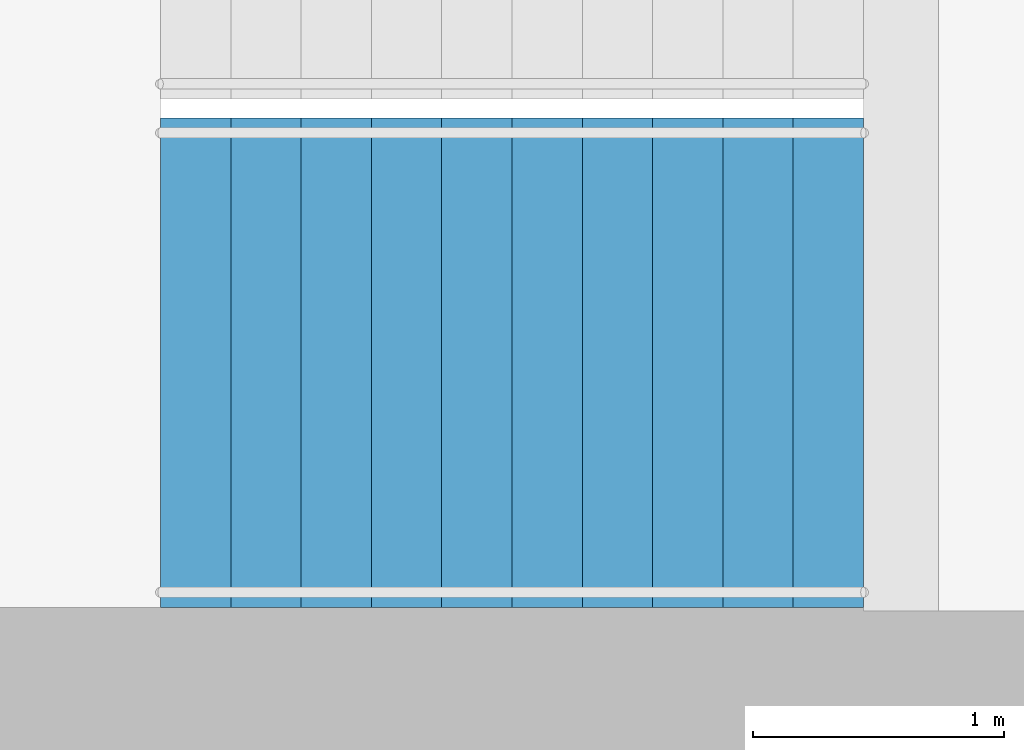
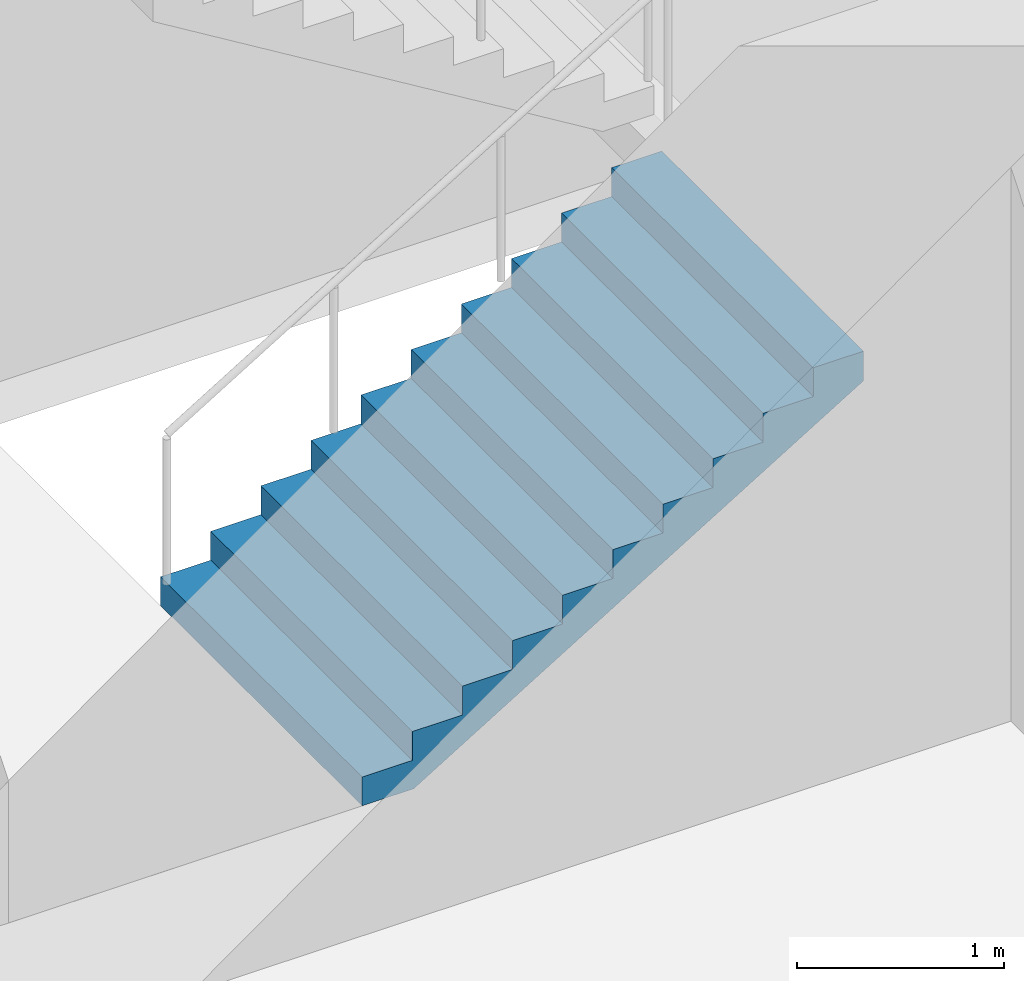
# One storey, part 17 of 21: 1 stair flight, 1 element without a shape of its own.
"""IFC4 building model written with IfcOpenShell, lengths in metres."""

from ifc_helpers import new_model, si_unit, direction, frame, origin, place, context, subcontext, project, spatial, triangles, material, type_object, element, aggregate, save


model = new_model("IFC4")

# Units and contexts
model_context = context("Model", 3, precision=1e-05, world=origin(), true_north=direction((0.0, 1.0)))
body_context = subcontext(model_context, "Body", "Model", "MODEL_VIEW")
ifc_project = project(units=[si_unit("LENGTHUNIT", "METRE"), si_unit("AREAUNIT", "SQUARE_METRE"), si_unit("VOLUMEUNIT", "CUBIC_METRE"), si_unit("PLANEANGLEUNIT", "RADIAN"), si_unit("MASSUNIT", "GRAM", prefix="KILO")], contexts=[model_context])

# Site, building, storey
site_placement = place(None, origin())
site = spatial("IfcSite", under=ifc_project, at=site_placement, CompositionType="ELEMENT")
building_placement = place(site_placement, origin())
building = spatial("IfcBuilding", under=site, at=building_placement, Name="Orbita Commons", CompositionType="ELEMENT")
storey_placement = place(building_placement, frame((0.0, 0.0, 106.89990234375)))
storey = spatial("IfcBuildingStorey", under=building, at=storey_placement, Name="L26", CompositionType="ELEMENT", Elevation=106.89990234375)

# Stair, stair flight
ifc_material_1 = material(Name="Precast concrete C40/50", Category="concrete")
stair_type = type_object("IfcStairType", Name="Exit stair S1 2 flights 11 risers 170", PredefinedType="HALF_TURN_STAIR", material=ifc_material_1)
stair_placement = place(storey_placement, origin())
stair = element("IfcStair", 1, at=stair_placement, inside=storey, type_object=stair_type, Name="Exit stair S1 L26", PredefinedType="HALF_TURN_STAIR")
ifc_material_2 = material(Name="Precast concrete C40/50", Category="concrete")
stair_flight_type = type_object("IfcStairFlightType", Name="Stair flight 11 risers 170 x 280", PredefinedType="STRAIGHT", material=ifc_material_2)
stair_flight_placement = place(storey_placement, frame((20.449951171875, 27.25, 0.0), z_axis=(0.0, 0.0, 1.0), x_axis=(1.0, 0.0, 0.0)))
stair_flight = element("IfcStairFlight", 2, at=stair_flight_placement, type_object=stair_flight_type, Name="S1 flight 1", NumberOfRisers=11, NumberOfTreads=10, PredefinedType="STRAIGHT", RiserHeight=0.170454545, TreadLength=0.28, context=body_context, shape_type="Tessellation", body=[
    triangles([(0.0, 0.974976, 0.0), (0.0, 0.974976, 0.021307), (0.0, 0.81248, 0.021307), (0.0, 0.81248, 0.0), (0.0, 0.649984, 0.021307), (0.0, 0.649984, 0.0), (0.0, 0.487488, 0.021307), (0.0, 0.487488, 0.0), (0.0, 0.324992, 0.021307), (0.0, 0.324992, 0.0), (0.0, 0.162496, 0.021307), (0.0, 0.162496, 0.0), (0.0, 0.0, 0.021307), (0.0, 0.0, 0.0), (0.0, -0.162496, 0.021307), (0.0, -0.162496, 0.0), (0.0, -0.324992, 0.021307), (0.0, -0.324992, 0.0), (0.0, -0.487488, 0.021307), (0.0, -0.487488, 0.0), (0.0, -0.649984, 0.021307), (0.0, -0.649984, 0.0), (0.0, -0.81248, 0.021307), (0.0, -0.81248, 0.0), (0.0, -0.974976, 0.021307), (0.0, -0.974976, 0.0), (0.0, 0.974976, 0.042614), (0.0, 0.81248, 0.042614), (0.0, 0.649984, 0.042614), (0.0, 0.487488, 0.042614), (0.0, 0.324992, 0.042614), (0.0, 0.162496, 0.042614), (0.0, 0.0, 0.042614), (0.0, -0.162496, 0.042614), (0.0, -0.324992, 0.042614), (0.0, -0.487488, 0.042614), (0.0, -0.649984, 0.042614), (0.0, -0.81248, 0.042614), (0.0, -0.974976, 0.042614), (0.0, 0.974976, 0.06392), (0.0, 0.81248, 0.06392), (0.0, 0.649984, 0.06392), (0.0, 0.487488, 0.06392), (0.0, 0.324992, 0.06392), (0.0, 0.162496, 0.06392), (0.0, 0.0, 0.06392), (0.0, -0.162496, 0.06392), (0.0, -0.324992, 0.06392), (0.0, -0.487488, 0.06392), (0.0, -0.649984, 0.06392), (0.0, -0.81248, 0.06392), (0.0, -0.974976, 0.06392), (0.0, 0.974976, 0.085227), (0.0, 0.81248, 0.085227), (0.0, 0.649984, 0.085227), (0.0, 0.487488, 0.085227), (0.0, 0.324992, 0.085227), (0.0, 0.162496, 0.085227), (0.0, 0.0, 0.085227), (0.0, -0.162496, 0.085227), (0.0, -0.324992, 0.085227), (0.0, -0.487488, 0.085227), (0.0, -0.649984, 0.085227), (0.0, -0.81248, 0.085227), (0.0, -0.974976, 0.085227), (0.0, 0.974976, 0.106534), (0.0, 0.81248, 0.106534), (0.0, 0.649984, 0.106534), (0.0, 0.487488, 0.106534), (0.0, 0.324992, 0.106534), (0.0, 0.162496, 0.106534), (0.0, 0.0, 0.106534), (0.0, -0.162496, 0.106534), (0.0, -0.324992, 0.106534), (0.0, -0.487488, 0.106534), (0.0, -0.649984, 0.106534), (0.0, -0.81248, 0.106534), (0.0, -0.974976, 0.106534), (0.0, 0.974976, 0.127841), (0.0, 0.81248, 0.127841), (0.0, 0.649984, 0.127841), (0.0, 0.487488, 0.127841), (0.0, 0.324992, 0.127841), (0.0, 0.162496, 0.127841), (0.0, 0.0, 0.127841), (0.0, -0.162496, 0.127841), (0.0, -0.324992, 0.127841), (0.0, -0.487488, 0.127841), (0.0, -0.649984, 0.127841), (0.0, -0.81248, 0.127841), (0.0, -0.974976, 0.127841), (0.0, 0.974976, 0.149148), (0.0, 0.81248, 0.149148), (0.0, 0.649984, 0.149148), (0.0, 0.487488, 0.149148), (0.0, 0.324992, 0.149148), (0.0, 0.162496, 0.149148), (0.0, 0.0, 0.149148), (0.0, -0.162496, 0.149148), (0.0, -0.324992, 0.149148), (0.0, -0.487488, 0.149148), (0.0, -0.649984, 0.149148), (0.0, -0.81248, 0.149148), (0.0, -0.974976, 0.149148), (0.0, 0.974976, 0.170455), (0.0, 0.81248, 0.170455), (0.0, 0.649984, 0.170455), (0.0, 0.487488, 0.170455), (0.0, 0.324992, 0.170455), (0.0, 0.162496, 0.170455), (0.0, 0.0, 0.170455), (0.0, -0.162496, 0.170455), (0.0, -0.324992, 0.170455), (0.0, -0.487488, 0.170455), (0.0, -0.649984, 0.170455), (0.0, -0.81248, 0.170455), (0.0, -0.974976, 0.170455), (0.28, 0.974976, 0.170455), (0.28, 0.81248, 0.170455), (0.28, 0.649984, 0.170455), (0.28, 0.487488, 0.170455), (0.28, 0.324992, 0.170455), (0.28, 0.162496, 0.170455), (0.28, 0.0, 0.170455), (0.28, -0.162496, 0.170455), (0.28, -0.324992, 0.170455), (0.28, -0.487488, 0.170455), (0.28, -0.649984, 0.170455), (0.28, -0.81248, 0.170455), (0.28, -0.974976, 0.170455), (0.28, 0.974976, 0.340909), (0.28, 0.81248, 0.340909), (0.28, 0.649984, 0.340909), (0.28, 0.487488, 0.340909), (0.28, 0.324992, 0.340909), (0.28, 0.162496, 0.340909), (0.28, 0.0, 0.340909), (0.28, -0.162496, 0.340909), (0.28, -0.324992, 0.340909), (0.28, -0.487488, 0.340909), (0.28, -0.649984, 0.340909), (0.28, -0.81248, 0.340909), (0.28, -0.974976, 0.340909), (0.56, 0.974976, 0.340909), (0.56, 0.81248, 0.340909), (0.56, 0.649984, 0.340909), (0.56, 0.487488, 0.340909), (0.56, 0.324992, 0.340909), (0.56, 0.162496, 0.340909), (0.56, 0.0, 0.340909), (0.56, -0.162496, 0.340909), (0.56, -0.324992, 0.340909), (0.56, -0.487488, 0.340909), (0.56, -0.649984, 0.340909), (0.56, -0.81248, 0.340909), (0.56, -0.974976, 0.340909), (0.56, 0.974976, 0.511364), (0.56, 0.81248, 0.511364), (0.56, 0.649984, 0.511364), (0.56, 0.487488, 0.511364), (0.56, 0.324992, 0.511364), (0.56, 0.162496, 0.511364), (0.56, 0.0, 0.511364), (0.56, -0.162496, 0.511364), (0.56, -0.324992, 0.511364), (0.56, -0.487488, 0.511364), (0.56, -0.649984, 0.511364), (0.56, -0.81248, 0.511364), (0.56, -0.974976, 0.511364), (0.84, 0.974976, 0.511364), (0.84, 0.81248, 0.511364), (0.84, 0.649984, 0.511364), (0.84, 0.487488, 0.511364), (0.84, 0.324992, 0.511364), (0.84, 0.162496, 0.511364), (0.84, 0.0, 0.511364), (0.84, -0.162496, 0.511364), (0.84, -0.324992, 0.511364), (0.84, -0.487488, 0.511364), (0.84, -0.649984, 0.511364), (0.84, -0.81248, 0.511364), (0.84, -0.974976, 0.511364), (0.84, 0.974976, 0.681818), (0.84, 0.81248, 0.681818), (0.84, 0.649984, 0.681818), (0.84, 0.487488, 0.681818), (0.84, 0.324992, 0.681818), (0.84, 0.162496, 0.681818), (0.84, 0.0, 0.681818), (0.84, -0.162496, 0.681818), (0.84, -0.324992, 0.681818), (0.84, -0.487488, 0.681818), (0.84, -0.649984, 0.681818), (0.84, -0.81248, 0.681818), (0.84, -0.974976, 0.681818), (1.12, 0.974976, 0.681818), (1.12, 0.81248, 0.681818), (1.12, 0.649984, 0.681818), (1.12, 0.487488, 0.681818), (1.12, 0.324992, 0.681818), (1.12, 0.162496, 0.681818), (1.12, 0.0, 0.681818), (1.12, -0.162496, 0.681818), (1.12, -0.324992, 0.681818), (1.12, -0.487488, 0.681818), (1.12, -0.649984, 0.681818), (1.12, -0.81248, 0.681818), (1.12, -0.974976, 0.681818), (1.12, 0.974976, 0.852273), (1.12, 0.81248, 0.852273), (1.12, 0.649984, 0.852273), (1.12, 0.487488, 0.852273), (1.12, 0.324992, 0.852273), (1.12, 0.162496, 0.852273), (1.12, 0.0, 0.852273), (1.12, -0.162496, 0.852273), (1.12, -0.324992, 0.852273), (1.12, -0.487488, 0.852273), (1.12, -0.649984, 0.852273), (1.12, -0.81248, 0.852273), (1.12, -0.974976, 0.852273), (1.4, 0.974976, 0.852273), (1.4, 0.81248, 0.852273), (1.4, 0.649984, 0.852273), (1.4, 0.487488, 0.852273), (1.4, 0.324992, 0.852273), (1.4, 0.162496, 0.852273), (1.4, 0.0, 0.852273), (1.4, -0.162496, 0.852273), (1.4, -0.324992, 0.852273), (1.4, -0.487488, 0.852273), (1.4, -0.649984, 0.852273), (1.4, -0.81248, 0.852273), (1.4, -0.974976, 0.852273), (1.4, 0.974976, 1.022727), (1.4, 0.81248, 1.022727), (1.4, 0.649984, 1.022727), (1.4, 0.487488, 1.022727), (1.4, 0.324992, 1.022727), (1.4, 0.162496, 1.022727), (1.4, 0.0, 1.022727), (1.4, -0.162496, 1.022727), (1.4, -0.324992, 1.022727), (1.4, -0.487488, 1.022727), (1.4, -0.649984, 1.022727), (1.4, -0.81248, 1.022727), (1.4, -0.974976, 1.022727), (1.68, 0.974976, 1.022727), (1.68, 0.81248, 1.022727), (1.68, 0.649984, 1.022727), (1.68, 0.487488, 1.022727), (1.68, 0.324992, 1.022727), (1.68, 0.162496, 1.022727), (1.68, 0.0, 1.022727), (1.68, -0.162496, 1.022727), (1.68, -0.324992, 1.022727), (1.68, -0.487488, 1.022727), (1.68, -0.649984, 1.022727), (1.68, -0.81248, 1.022727), (1.68, -0.974976, 1.022727), (1.68, 0.974976, 1.193182), (1.68, 0.81248, 1.193182), (1.68, 0.649984, 1.193182), (1.68, 0.487488, 1.193182), (1.68, 0.324992, 1.193182), (1.68, 0.162496, 1.193182), (1.68, 0.0, 1.193182), (1.68, -0.162496, 1.193182), (1.68, -0.324992, 1.193182), (1.68, -0.487488, 1.193182), (1.68, -0.649984, 1.193182), (1.68, -0.81248, 1.193182), (1.68, -0.974976, 1.193182), (1.96, 0.974976, 1.193182), (1.96, 0.81248, 1.193182), (1.96, 0.649984, 1.193182), (1.96, 0.487488, 1.193182), (1.96, 0.324992, 1.193182), (1.96, 0.162496, 1.193182), (1.96, 0.0, 1.193182), (1.96, -0.162496, 1.193182), (1.96, -0.324992, 1.193182), (1.96, -0.487488, 1.193182), (1.96, -0.649984, 1.193182), (1.96, -0.81248, 1.193182), (1.96, -0.974976, 1.193182), (1.96, 0.974976, 1.363636), (1.96, 0.81248, 1.363636), (1.96, 0.649984, 1.363636), (1.96, 0.487488, 1.363636), (1.96, 0.324992, 1.363636), (1.96, 0.162496, 1.363636), (1.96, 0.0, 1.363636), (1.96, -0.162496, 1.363636), (1.96, -0.324992, 1.363636), (1.96, -0.487488, 1.363636), (1.96, -0.649984, 1.363636), (1.96, -0.81248, 1.363636), (1.96, -0.974976, 1.363636), (2.24, 0.974976, 1.363636), (2.24, 0.81248, 1.363636), (2.24, 0.649984, 1.363636), (2.24, 0.487488, 1.363636), (2.24, 0.324992, 1.363636), (2.24, 0.162496, 1.363636), (2.24, 0.0, 1.363636), (2.24, -0.162496, 1.363636), (2.24, -0.324992, 1.363636), (2.24, -0.487488, 1.363636), (2.24, -0.649984, 1.363636), (2.24, -0.81248, 1.363636), (2.24, -0.974976, 1.363636), (2.24, 0.974976, 1.534091), (2.24, 0.81248, 1.534091), (2.24, 0.649984, 1.534091), (2.24, 0.487488, 1.534091), (2.24, 0.324992, 1.534091), (2.24, 0.162496, 1.534091), (2.24, 0.0, 1.534091), (2.24, -0.162496, 1.534091), (2.24, -0.324992, 1.534091), (2.24, -0.487488, 1.534091), (2.24, -0.649984, 1.534091), (2.24, -0.81248, 1.534091), (2.24, -0.974976, 1.534091), (2.52, 0.974976, 1.534091), (2.52, 0.81248, 1.534091), (2.52, 0.649984, 1.534091), (2.52, 0.487488, 1.534091), (2.52, 0.324992, 1.534091), (2.52, 0.162496, 1.534091), (2.52, 0.0, 1.534091), (2.52, -0.162496, 1.534091), (2.52, -0.324992, 1.534091), (2.52, -0.487488, 1.534091), (2.52, -0.649984, 1.534091), (2.52, -0.81248, 1.534091), (2.52, -0.974976, 1.534091), (2.52, 0.974976, 1.704545), (2.52, 0.81248, 1.704545), (2.52, 0.649984, 1.704545), (2.52, 0.487488, 1.704545), (2.52, 0.324992, 1.704545), (2.52, 0.162496, 1.704545), (2.52, 0.0, 1.704545), (2.52, -0.162496, 1.704545), (2.52, -0.324992, 1.704545), (2.52, -0.487488, 1.704545), (2.52, -0.649984, 1.704545), (2.52, -0.81248, 1.704545), (2.52, -0.974976, 1.704545), (2.8, 0.974976, 1.704545), (2.8, 0.81248, 1.704545), (2.8, 0.649984, 1.704545), (2.8, 0.487488, 1.704545), (2.8, 0.324992, 1.704545), (2.8, 0.162496, 1.704545), (2.8, 0.0, 1.704545), (2.8, -0.162496, 1.704545), (2.8, -0.324992, 1.704545), (2.8, -0.487488, 1.704545), (2.8, -0.649984, 1.704545), (2.8, -0.81248, 1.704545), (2.8, -0.974976, 1.704545), (2.8, 0.974976, 1.682609), (2.8, 0.81248, 1.682609), (2.8, 0.649984, 1.682609), (2.8, 0.487488, 1.682609), (2.8, 0.324992, 1.682609), (2.8, 0.162496, 1.682609), (2.8, 0.0, 1.682609), (2.8, -0.162496, 1.682609), (2.8, -0.324992, 1.682609), (2.8, -0.487488, 1.682609), (2.8, -0.649984, 1.682609), (2.8, -0.81248, 1.682609), (2.8, -0.974976, 1.682609), (2.8, 0.974976, 1.660672), (2.8, 0.81248, 1.660672), (2.8, 0.649984, 1.660672), (2.8, 0.487488, 1.660672), (2.8, 0.324992, 1.660672), (2.8, 0.162496, 1.660672), (2.8, 0.0, 1.660672), (2.8, -0.162496, 1.660672), (2.8, -0.324992, 1.660672), (2.8, -0.487488, 1.660672), (2.8, -0.649984, 1.660672), (2.8, -0.81248, 1.660672), (2.8, -0.974976, 1.660672), (2.8, 0.974976, 1.638735), (2.8, 0.81248, 1.638735), (2.8, 0.649984, 1.638735), (2.8, 0.487488, 1.638735), (2.8, 0.324992, 1.638735), (2.8, 0.162496, 1.638735), (2.8, 0.0, 1.638735), (2.8, -0.162496, 1.638735), (2.8, -0.324992, 1.638735), (2.8, -0.487488, 1.638735), (2.8, -0.649984, 1.638735), (2.8, -0.81248, 1.638735), (2.8, -0.974976, 1.638735), (2.8, 0.974976, 1.616798), (2.8, 0.81248, 1.616798), (2.8, 0.649984, 1.616798), (2.8, 0.487488, 1.616798), (2.8, 0.324992, 1.616798), (2.8, 0.162496, 1.616798), (2.8, 0.0, 1.616798), (2.8, -0.162496, 1.616798), (2.8, -0.324992, 1.616798), (2.8, -0.487488, 1.616798), (2.8, -0.649984, 1.616798), (2.8, -0.81248, 1.616798), (2.8, -0.974976, 1.616798), (2.8, 0.974976, 1.594861), (2.8, 0.81248, 1.594861), (2.8, 0.649984, 1.594861), (2.8, 0.487488, 1.594861), (2.8, 0.324992, 1.594861), (2.8, 0.162496, 1.594861), (2.8, 0.0, 1.594861), (2.8, -0.162496, 1.594861), (2.8, -0.324992, 1.594861), (2.8, -0.487488, 1.594861), (2.8, -0.649984, 1.594861), (2.8, -0.81248, 1.594861), (2.8, -0.974976, 1.594861), (2.8, 0.974976, 1.572925), (2.8, 0.81248, 1.572925), (2.8, 0.649984, 1.572925), (2.8, 0.487488, 1.572925), (2.8, 0.324992, 1.572925), (2.8, 0.162496, 1.572925), (2.8, 0.0, 1.572925), (2.8, -0.162496, 1.572925), (2.8, -0.324992, 1.572925), (2.8, -0.487488, 1.572925), (2.8, -0.649984, 1.572925), (2.8, -0.81248, 1.572925), (2.8, -0.974976, 1.572925), (2.8, 0.974976, 1.550988), (2.8, 0.81248, 1.550988), (2.8, 0.649984, 1.550988), (2.8, 0.487488, 1.550988), (2.8, 0.324992, 1.550988), (2.8, 0.162496, 1.550988), (2.8, 0.0, 1.550988), (2.8, -0.162496, 1.550988), (2.8, -0.324992, 1.550988), (2.8, -0.487488, 1.550988), (2.8, -0.649984, 1.550988), (2.8, -0.81248, 1.550988), (2.8, -0.974976, 1.550988), (2.8, 0.974976, 1.529051), (2.8, 0.81248, 1.529051), (2.8, 0.649984, 1.529051), (2.8, 0.487488, 1.529051), (2.8, 0.324992, 1.529051), (2.8, 0.162496, 1.529051), (2.8, 0.0, 1.529051), (2.8, -0.162496, 1.529051), (2.8, -0.324992, 1.529051), (2.8, -0.487488, 1.529051), (2.8, -0.649984, 1.529051), (2.8, -0.81248, 1.529051), (2.8, -0.974976, 1.529051), (0.288279, 0.974976, 0.0), (0.288279, 0.81248, 0.0), (0.288279, 0.649984, 0.0), (0.288279, 0.487488, 0.0), (0.288279, 0.324992, 0.0), (0.288279, 0.162496, 0.0), (0.288279, 0.0, 0.0), (0.288279, -0.162496, 0.0), (0.288279, -0.324992, 0.0), (0.288279, -0.487488, 0.0), (0.288279, -0.649984, 0.0), (0.288279, -0.81248, 0.0), (0.288279, -0.974976, 0.0)], [[3, 2, 1], [4, 3, 1], [5, 3, 4], [6, 5, 4], [7, 5, 6], [8, 7, 6], [9, 7, 8], [10, 9, 8], [11, 9, 10], [12, 11, 10], [13, 11, 12], [14, 13, 12], [15, 13, 14], [16, 15, 14], [17, 15, 16], [18, 17, 16], [19, 17, 18], [20, 19, 18], [21, 19, 20], [22, 21, 20], [23, 21, 22], [24, 23, 22], [25, 23, 24], [26, 25, 24], [28, 27, 2], [3, 28, 2], [29, 28, 3], [5, 29, 3], [30, 29, 5], [7, 30, 5], [31, 30, 7], [9, 31, 7], [32, 31, 9], [11, 32, 9], [33, 32, 11], [13, 33, 11], [34, 33, 13], [15, 34, 13], [35, 34, 15], [17, 35, 15], [36, 35, 17], [19, 36, 17], [37, 36, 19], [21, 37, 19], [38, 37, 21], [23, 38, 21], [39, 38, 23], [25, 39, 23], [41, 40, 27], [28, 41, 27], [42, 41, 28], [29, 42, 28], [43, 42, 29], [30, 43, 29], [44, 43, 30], [31, 44, 30], [45, 44, 31], [32, 45, 31], [46, 45, 32], [33, 46, 32], [47, 46, 33], [34, 47, 33], [48, 47, 34], [35, 48, 34], [49, 48, 35], [36, 49, 35], [50, 49, 36], [37, 50, 36], [51, 50, 37], [38, 51, 37], [52, 51, 38], [39, 52, 38], [54, 53, 40], [41, 54, 40], [55, 54, 41], [42, 55, 41], [56, 55, 42], [43, 56, 42], [57, 56, 43], [44, 57, 43], [58, 57, 44], [45, 58, 44], [59, 58, 45], [46, 59, 45], [60, 59, 46], [47, 60, 46], [61, 60, 47], [48, 61, 47], [62, 61, 48], [49, 62, 48], [63, 62, 49], [50, 63, 49], [64, 63, 50], [51, 64, 50], [65, 64, 51], [52, 65, 51], [67, 66, 53], [54, 67, 53], [68, 67, 54], [55, 68, 54], [69, 68, 55], [56, 69, 55], [70, 69, 56], [57, 70, 56], [71, 70, 57], [58, 71, 57], [72, 71, 58], [59, 72, 58], [73, 72, 59], [60, 73, 59], [74, 73, 60], [61, 74, 60], [75, 74, 61], [62, 75, 61], [76, 75, 62], [63, 76, 62], [77, 76, 63], [64, 77, 63], [78, 77, 64], [65, 78, 64], [80, 79, 66], [67, 80, 66], [81, 80, 67], [68, 81, 67], [82, 81, 68], [69, 82, 68], [83, 82, 69], [70, 83, 69], [84, 83, 70], [71, 84, 70], [85, 84, 71], [72, 85, 71], [86, 85, 72], [73, 86, 72], [87, 86, 73], [74, 87, 73], [88, 87, 74], [75, 88, 74], [89, 88, 75], [76, 89, 75], [90, 89, 76], [77, 90, 76], [91, 90, 77], [78, 91, 77], [93, 92, 79], [80, 93, 79], [94, 93, 80], [81, 94, 80], [95, 94, 81], [82, 95, 81], [96, 95, 82], [83, 96, 82], [97, 96, 83], [84, 97, 83], [98, 97, 84], [85, 98, 84], [99, 98, 85], [86, 99, 85], [100, 99, 86], [87, 100, 86], [101, 100, 87], [88, 101, 87], [102, 101, 88], [89, 102, 88], [103, 102, 89], [90, 103, 89], [104, 103, 90], [91, 104, 90], [106, 105, 92], [93, 106, 92], [107, 106, 93], [94, 107, 93], [108, 107, 94], [95, 108, 94], [109, 108, 95], [96, 109, 95], [110, 109, 96], [97, 110, 96], [111, 110, 97], [98, 111, 97], [112, 111, 98], [99, 112, 98], [113, 112, 99], [100, 113, 99], [114, 113, 100], [101, 114, 100], [115, 114, 101], [102, 115, 101], [116, 115, 102], [103, 116, 102], [117, 116, 103], [104, 117, 103], [119, 118, 105], [106, 119, 105], [120, 119, 106], [107, 120, 106], [121, 120, 107], [108, 121, 107], [122, 121, 108], [109, 122, 108], [123, 122, 109], [110, 123, 109], [124, 123, 110], [111, 124, 110], [125, 124, 111], [112, 125, 111], [126, 125, 112], [113, 126, 112], [127, 126, 113], [114, 127, 113], [128, 127, 114], [115, 128, 114], [129, 128, 115], [116, 129, 115], [130, 129, 116], [117, 130, 116], [132, 131, 118], [119, 132, 118], [133, 132, 119], [120, 133, 119], [134, 133, 120], [121, 134, 120], [135, 134, 121], [122, 135, 121], [136, 135, 122], [123, 136, 122], [137, 136, 123], [124, 137, 123], [138, 137, 124], [125, 138, 124], [139, 138, 125], [126, 139, 125], [140, 139, 126], [127, 140, 126], [141, 140, 127], [128, 141, 127], [142, 141, 128], [129, 142, 128], [143, 142, 129], [130, 143, 129], [145, 144, 131], [132, 145, 131], [146, 145, 132], [133, 146, 132], [147, 146, 133], [134, 147, 133], [148, 147, 134], [135, 148, 134], [149, 148, 135], [136, 149, 135], [150, 149, 136], [137, 150, 136], [151, 150, 137], [138, 151, 137], [152, 151, 138], [139, 152, 138], [153, 152, 139], [140, 153, 139], [154, 153, 140], [141, 154, 140], [155, 154, 141], [142, 155, 141], [156, 155, 142], [143, 156, 142], [158, 157, 144], [145, 158, 144], [159, 158, 145], [146, 159, 145], [160, 159, 146], [147, 160, 146], [161, 160, 147], [148, 161, 147], [162, 161, 148], [149, 162, 148], [163, 162, 149], [150, 163, 149], [164, 163, 150], [151, 164, 150], [165, 164, 151], [152, 165, 151], [166, 165, 152], [153, 166, 152], [167, 166, 153], [154, 167, 153], [168, 167, 154], [155, 168, 154], [169, 168, 155], [156, 169, 155], [171, 170, 157], [158, 171, 157], [172, 171, 158], [159, 172, 158], [173, 172, 159], [160, 173, 159], [174, 173, 160], [161, 174, 160], [175, 174, 161], [162, 175, 161], [176, 175, 162], [163, 176, 162], [177, 176, 163], [164, 177, 163], [178, 177, 164], [165, 178, 164], [179, 178, 165], [166, 179, 165], [180, 179, 166], [167, 180, 166], [181, 180, 167], [168, 181, 167], [182, 181, 168], [169, 182, 168], [184, 183, 170], [171, 184, 170], [185, 184, 171], [172, 185, 171], [186, 185, 172], [173, 186, 172], [187, 186, 173], [174, 187, 173], [188, 187, 174], [175, 188, 174], [189, 188, 175], [176, 189, 175], [190, 189, 176], [177, 190, 176], [191, 190, 177], [178, 191, 177], [192, 191, 178], [179, 192, 178], [193, 192, 179], [180, 193, 179], [194, 193, 180], [181, 194, 180], [195, 194, 181], [182, 195, 181], [197, 196, 183], [184, 197, 183], [198, 197, 184], [185, 198, 184], [199, 198, 185], [186, 199, 185], [200, 199, 186], [187, 200, 186], [201, 200, 187], [188, 201, 187], [202, 201, 188], [189, 202, 188], [203, 202, 189], [190, 203, 189], [204, 203, 190], [191, 204, 190], [205, 204, 191], [192, 205, 191], [206, 205, 192], [193, 206, 192], [207, 206, 193], [194, 207, 193], [208, 207, 194], [195, 208, 194], [210, 209, 196], [197, 210, 196], [211, 210, 197], [198, 211, 197], [212, 211, 198], [199, 212, 198], [213, 212, 199], [200, 213, 199], [214, 213, 200], [201, 214, 200], [215, 214, 201], [202, 215, 201], [216, 215, 202], [203, 216, 202], [217, 216, 203], [204, 217, 203], [218, 217, 204], [205, 218, 204], [219, 218, 205], [206, 219, 205], [220, 219, 206], [207, 220, 206], [221, 220, 207], [208, 221, 207], [223, 222, 209], [210, 223, 209], [224, 223, 210], [211, 224, 210], [225, 224, 211], [212, 225, 211], [226, 225, 212], [213, 226, 212], [227, 226, 213], [214, 227, 213], [228, 227, 214], [215, 228, 214], [229, 228, 215], [216, 229, 215], [230, 229, 216], [217, 230, 216], [231, 230, 217], [218, 231, 217], [232, 231, 218], [219, 232, 218], [233, 232, 219], [220, 233, 219], [234, 233, 220], [221, 234, 220], [236, 235, 222], [223, 236, 222], [237, 236, 223], [224, 237, 223], [238, 237, 224], [225, 238, 224], [239, 238, 225], [226, 239, 225], [240, 239, 226], [227, 240, 226], [241, 240, 227], [228, 241, 227], [242, 241, 228], [229, 242, 228], [243, 242, 229], [230, 243, 229], [244, 243, 230], [231, 244, 230], [245, 244, 231], [232, 245, 231], [246, 245, 232], [233, 246, 232], [247, 246, 233], [234, 247, 233], [249, 248, 235], [236, 249, 235], [250, 249, 236], [237, 250, 236], [251, 250, 237], [238, 251, 237], [252, 251, 238], [239, 252, 238], [253, 252, 239], [240, 253, 239], [254, 253, 240], [241, 254, 240], [255, 254, 241], [242, 255, 241], [256, 255, 242], [243, 256, 242], [257, 256, 243], [244, 257, 243], [258, 257, 244], [245, 258, 244], [259, 258, 245], [246, 259, 245], [260, 259, 246], [247, 260, 246], [262, 261, 248], [249, 262, 248], [263, 262, 249], [250, 263, 249], [264, 263, 250], [251, 264, 250], [265, 264, 251], [252, 265, 251], [266, 265, 252], [253, 266, 252], [267, 266, 253], [254, 267, 253], [268, 267, 254], [255, 268, 254], [269, 268, 255], [256, 269, 255], [270, 269, 256], [257, 270, 256], [271, 270, 257], [258, 271, 257], [272, 271, 258], [259, 272, 258], [273, 272, 259], [260, 273, 259], [275, 274, 261], [262, 275, 261], [276, 275, 262], [263, 276, 262], [277, 276, 263], [264, 277, 263], [278, 277, 264], [265, 278, 264], [279, 278, 265], [266, 279, 265], [280, 279, 266], [267, 280, 266], [281, 280, 267], [268, 281, 267], [282, 281, 268], [269, 282, 268], [283, 282, 269], [270, 283, 269], [284, 283, 270], [271, 284, 270], [285, 284, 271], [272, 285, 271], [286, 285, 272], [273, 286, 272], [288, 287, 274], [275, 288, 274], [289, 288, 275], [276, 289, 275], [290, 289, 276], [277, 290, 276], [291, 290, 277], [278, 291, 277], [292, 291, 278], [279, 292, 278], [293, 292, 279], [280, 293, 279], [294, 293, 280], [281, 294, 280], [295, 294, 281], [282, 295, 281], [296, 295, 282], [283, 296, 282], [297, 296, 283], [284, 297, 283], [298, 297, 284], [285, 298, 284], [299, 298, 285], [286, 299, 285], [301, 300, 287], [288, 301, 287], [302, 301, 288], [289, 302, 288], [303, 302, 289], [290, 303, 289], [304, 303, 290], [291, 304, 290], [305, 304, 291], [292, 305, 291], [306, 305, 292], [293, 306, 292], [307, 306, 293], [294, 307, 293], [308, 307, 294], [295, 308, 294], [309, 308, 295], [296, 309, 295], [310, 309, 296], [297, 310, 296], [311, 310, 297], [298, 311, 297], [312, 311, 298], [299, 312, 298], [314, 313, 300], [301, 314, 300], [315, 314, 301], [302, 315, 301], [316, 315, 302], [303, 316, 302], [317, 316, 303], [304, 317, 303], [318, 317, 304], [305, 318, 304], [319, 318, 305], [306, 319, 305], [320, 319, 306], [307, 320, 306], [321, 320, 307], [308, 321, 307], [322, 321, 308], [309, 322, 308], [323, 322, 309], [310, 323, 309], [324, 323, 310], [311, 324, 310], [325, 324, 311], [312, 325, 311], [327, 326, 313], [314, 327, 313], [328, 327, 314], [315, 328, 314], [329, 328, 315], [316, 329, 315], [330, 329, 316], [317, 330, 316], [331, 330, 317], [318, 331, 317], [332, 331, 318], [319, 332, 318], [333, 332, 319], [320, 333, 319], [334, 333, 320], [321, 334, 320], [335, 334, 321], [322, 335, 321], [336, 335, 322], [323, 336, 322], [337, 336, 323], [324, 337, 323], [338, 337, 324], [325, 338, 324], [340, 339, 326], [327, 340, 326], [341, 340, 327], [328, 341, 327], [342, 341, 328], [329, 342, 328], [343, 342, 329], [330, 343, 329], [344, 343, 330], [331, 344, 330], [345, 344, 331], [332, 345, 331], [346, 345, 332], [333, 346, 332], [347, 346, 333], [334, 347, 333], [348, 347, 334], [335, 348, 334], [349, 348, 335], [336, 349, 335], [350, 349, 336], [337, 350, 336], [351, 350, 337], [338, 351, 337], [353, 352, 339], [340, 353, 339], [354, 353, 340], [341, 354, 340], [355, 354, 341], [342, 355, 341], [356, 355, 342], [343, 356, 342], [357, 356, 343], [344, 357, 343], [358, 357, 344], [345, 358, 344], [359, 358, 345], [346, 359, 345], [360, 359, 346], [347, 360, 346], [361, 360, 347], [348, 361, 347], [362, 361, 348], [349, 362, 348], [363, 362, 349], [350, 363, 349], [364, 363, 350], [351, 364, 350], [366, 365, 352], [353, 366, 352], [367, 366, 353], [354, 367, 353], [368, 367, 354], [355, 368, 354], [369, 368, 355], [356, 369, 355], [370, 369, 356], [357, 370, 356], [371, 370, 357], [358, 371, 357], [372, 371, 358], [359, 372, 358], [373, 372, 359], [360, 373, 359], [374, 373, 360], [361, 374, 360], [375, 374, 361], [362, 375, 361], [376, 375, 362], [363, 376, 362], [377, 376, 363], [364, 377, 363], [379, 378, 365], [366, 379, 365], [380, 379, 366], [367, 380, 366], [381, 380, 367], [368, 381, 367], [382, 381, 368], [369, 382, 368], [383, 382, 369], [370, 383, 369], [384, 383, 370], [371, 384, 370], [385, 384, 371], [372, 385, 371], [386, 385, 372], [373, 386, 372], [387, 386, 373], [374, 387, 373], [388, 387, 374], [375, 388, 374], [389, 388, 375], [376, 389, 375], [390, 389, 376], [377, 390, 376], [392, 391, 378], [379, 392, 378], [393, 392, 379], [380, 393, 379], [394, 393, 380], [381, 394, 380], [395, 394, 381], [382, 395, 381], [396, 395, 382], [383, 396, 382], [397, 396, 383], [384, 397, 383], [398, 397, 384], [385, 398, 384], [399, 398, 385], [386, 399, 385], [400, 399, 386], [387, 400, 386], [401, 400, 387], [388, 401, 387], [402, 401, 388], [389, 402, 388], [403, 402, 389], [390, 403, 389], [405, 404, 391], [392, 405, 391], [406, 405, 392], [393, 406, 392], [407, 406, 393], [394, 407, 393], [408, 407, 394], [395, 408, 394], [409, 408, 395], [396, 409, 395], [410, 409, 396], [397, 410, 396], [411, 410, 397], [398, 411, 397], [412, 411, 398], [399, 412, 398], [413, 412, 399], [400, 413, 399], [414, 413, 400], [401, 414, 400], [415, 414, 401], [402, 415, 401], [416, 415, 402], [403, 416, 402], [418, 417, 404], [405, 418, 404], [419, 418, 405], [406, 419, 405], [420, 419, 406], [407, 420, 406], [421, 420, 407], [408, 421, 407], [422, 421, 408], [409, 422, 408], [423, 422, 409], [410, 423, 409], [424, 423, 410], [411, 424, 410], [425, 424, 411], [412, 425, 411], [426, 425, 412], [413, 426, 412], [427, 426, 413], [414, 427, 413], [428, 427, 414], [415, 428, 414], [429, 428, 415], [416, 429, 415], [431, 430, 417], [418, 431, 417], [432, 431, 418], [419, 432, 418], [433, 432, 419], [420, 433, 419], [434, 433, 420], [421, 434, 420], [435, 434, 421], [422, 435, 421], [436, 435, 422], [423, 436, 422], [437, 436, 423], [424, 437, 423], [438, 437, 424], [425, 438, 424], [439, 438, 425], [426, 439, 425], [440, 439, 426], [427, 440, 426], [441, 440, 427], [428, 441, 427], [442, 441, 428], [429, 442, 428], [444, 443, 430], [431, 444, 430], [445, 444, 431], [432, 445, 431], [446, 445, 432], [433, 446, 432], [447, 446, 433], [434, 447, 433], [448, 447, 434], [435, 448, 434], [449, 448, 435], [436, 449, 435], [450, 449, 436], [437, 450, 436], [451, 450, 437], [438, 451, 437], [452, 451, 438], [439, 452, 438], [453, 452, 439], [440, 453, 439], [454, 453, 440], [441, 454, 440], [455, 454, 441], [442, 455, 441], [457, 456, 443], [444, 457, 443], [458, 457, 444], [445, 458, 444], [459, 458, 445], [446, 459, 445], [460, 459, 446], [447, 460, 446], [461, 460, 447], [448, 461, 447], [462, 461, 448], [449, 462, 448], [463, 462, 449], [450, 463, 449], [464, 463, 450], [451, 464, 450], [465, 464, 451], [452, 465, 451], [466, 465, 452], [453, 466, 452], [467, 466, 453], [454, 467, 453], [468, 467, 454], [455, 468, 454], [470, 469, 456], [457, 470, 456], [471, 470, 457], [458, 471, 457], [472, 471, 458], [459, 472, 458], [473, 472, 459], [460, 473, 459], [474, 473, 460], [461, 474, 460], [475, 474, 461], [462, 475, 461], [476, 475, 462], [463, 476, 462], [477, 476, 463], [464, 477, 463], [478, 477, 464], [465, 478, 464], [479, 478, 465], [466, 479, 465], [480, 479, 466], [467, 480, 466], [481, 480, 467], [468, 481, 467], [4, 1, 469], [470, 4, 469], [6, 4, 470], [471, 6, 470], [8, 6, 471], [472, 8, 471], [10, 8, 472], [473, 10, 472], [12, 10, 473], [474, 12, 473], [14, 12, 474], [475, 14, 474], [16, 14, 475], [476, 16, 475], [18, 16, 476], [477, 18, 476], [20, 18, 477], [478, 20, 477], [22, 20, 478], [479, 22, 478], [24, 22, 479], [480, 24, 479], [26, 24, 480], [481, 26, 480], [456, 469, 1], [26, 481, 468], [443, 456, 1], [26, 468, 455], [430, 443, 1], [26, 455, 442], [417, 430, 1], [26, 442, 429], [404, 417, 1], [26, 429, 416], [391, 404, 1], [26, 416, 403], [378, 391, 1], [26, 403, 390], [365, 378, 1], [26, 390, 377], [339, 352, 365], [377, 364, 351], [326, 339, 365], [377, 351, 338], [300, 313, 326], [338, 325, 312], [300, 326, 365], [377, 338, 312], [274, 287, 300], [312, 299, 286], [274, 300, 365], [377, 312, 286], [248, 261, 274], [286, 273, 260], [248, 274, 365], [377, 286, 260], [222, 235, 248], [260, 247, 234], [222, 248, 365], [377, 260, 234], [196, 209, 222], [234, 221, 208], [196, 222, 365], [377, 234, 208], [170, 183, 196], [208, 195, 182], [170, 196, 365], [377, 208, 182], [144, 157, 170], [182, 169, 156], [144, 170, 365], [377, 182, 156], [118, 131, 144], [156, 143, 130], [118, 144, 365], [377, 156, 130], [118, 365, 1], [26, 377, 130], [92, 105, 118], [130, 117, 104], [79, 92, 118], [130, 104, 91], [66, 79, 118], [130, 91, 78], [53, 66, 118], [130, 78, 65], [40, 53, 118], [130, 65, 52], [27, 40, 118], [130, 52, 39], [2, 27, 118], [130, 39, 25], [1, 2, 118], [130, 25, 26]], closed=True),
])
aggregate(stair, [stair_flight])

save(model, "model.ifc")
